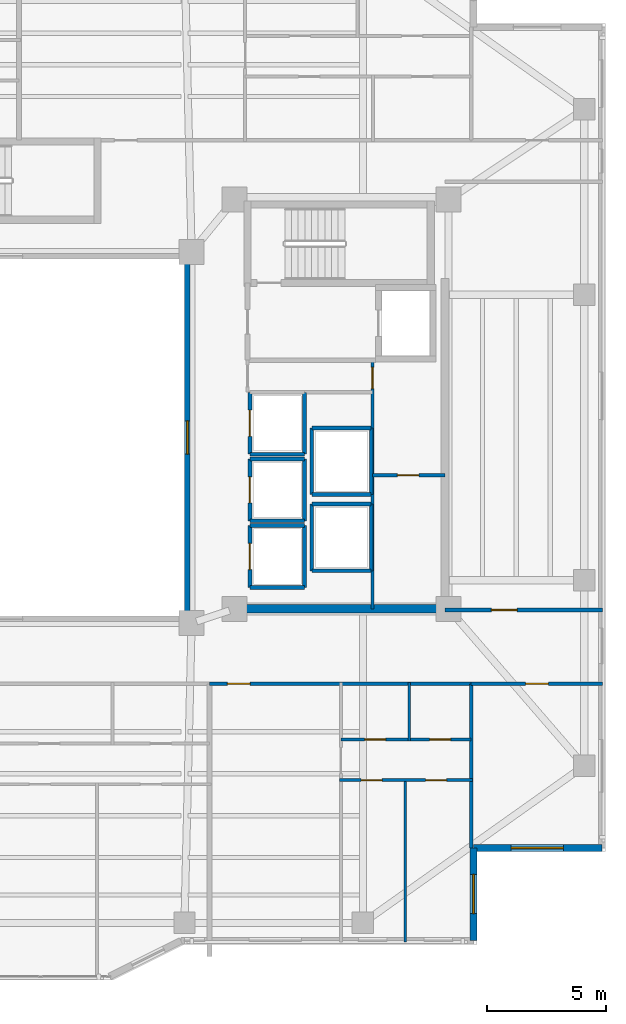
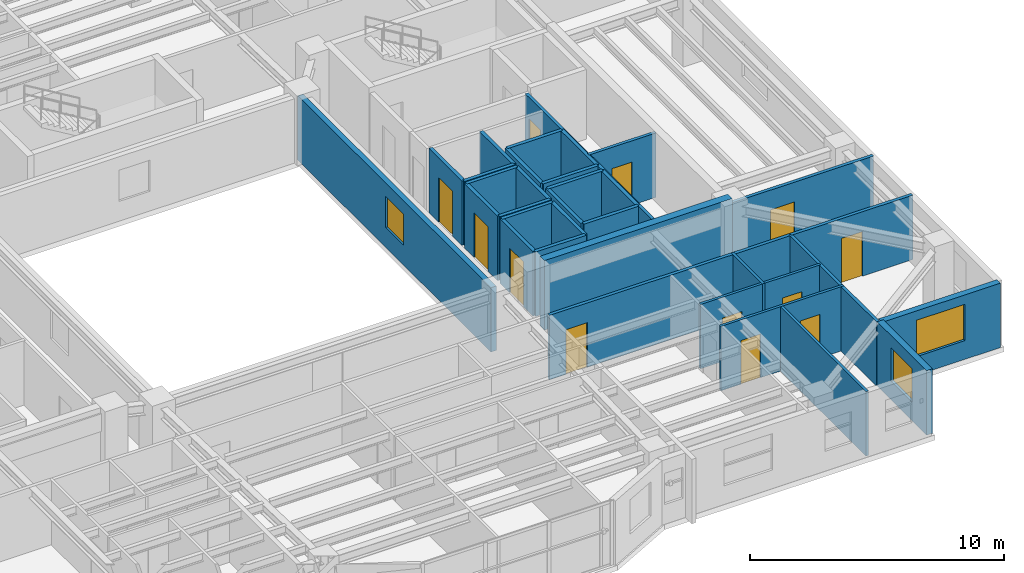
# One storey, part 8 of 15: 34 walls, 12 doors, 3 windows, 15 openings.
"""IFC4 building model written with IfcOpenShell, lengths in metres."""

from ifc_helpers import new_model, si_unit, direction, frame, frame_2d, origin, place, context, subcontext, project, spatial, rectangle, extrude, material, layer, layer_set, type_object, element, fill, save


model = new_model("IFC4")

# Units and contexts
model_context = context("Model", 3, precision=1e-05, world=origin(), true_north=direction((0.0, 1.0)))
body_context = subcontext(model_context, "Body", "Model", "MODEL_VIEW")
ifc_project = project(units=[si_unit("LENGTHUNIT", "METRE"), si_unit("AREAUNIT", "SQUARE_METRE"), si_unit("VOLUMEUNIT", "CUBIC_METRE"), si_unit("PLANEANGLEUNIT", "RADIAN"), si_unit("MASSUNIT", "GRAM", prefix="KILO")], contexts=[model_context])

# Site, building, storey
site_placement = place(None, origin())
site = spatial("IfcSite", under=ifc_project, at=site_placement, CompositionType="ELEMENT")
building_placement = place(site_placement, origin())
building = spatial("IfcBuilding", under=site, at=building_placement, Name="Tarnavaz Court Tower", CompositionType="ELEMENT")
storey_placement = place(building_placement, frame((0.0, 0.0, 159.39990234375)))
storey = spatial("IfcBuildingStorey", under=building, at=storey_placement, Name="L43", CompositionType="ELEMENT", Elevation=159.39990234375)

# Wall
ifc_material_1 = material(Name="Concrete C50/60", Category="concrete")
ifc_layer_1 = layer(ifc_material_1, 0.35009765625)
ifc_layer_set_1 = layer_set([ifc_layer_1], Name="Concrete C50/60")
wall_type_1 = type_object("IfcWallType", Name="WL-CORE-350-C50", PredefinedType="SHEAR", material=ifc_layer_set_1)
wall_1_placement = place(storey_placement, frame((10.074951171875, -7.199951171875, 0.0), z_axis=(0.0, 0.0, 1.0), x_axis=(1.0, 0.0, 0.0)))
element("IfcWall", 1, at=wall_1_placement, inside=storey, type_object=wall_type_1, Name="L43 East Core South Shear Wall 060", PredefinedType="SHEAR", context=body_context, shape_type="SweptSolid", body=[
    extrude(rectangle(XDim=8.550048828125, YDim=0.35009765625, at=frame_2d((4.27490234375, 0.0))), origin(), (0.0, 0.0, 1.0), 3.35009765625),
])

# Wall, opening, window
ifc_material_2 = material(Name="Precast Concrete C40/50", Category="concrete")
ifc_layer_2 = layer(ifc_material_2, 0.280029296875)
ifc_layer_set_2 = layer_set([ifc_layer_2], Name="Precast Concrete C40/50")
wall_type_2 = type_object("IfcWallType", Name="WL-EXT-280", PredefinedType="SOLIDWALL", material=ifc_layer_set_2)
wall_2_placement = place(storey_placement, frame((25.050048828125, -17.25, 0.0), z_axis=(0.0, 0.0, 1.0), x_axis=(-1.0, 0.0, 0.0)))
wall_2 = element("IfcWall", 2, at=wall_2_placement, inside=storey, type_object=wall_type_2, Name="L43 Exterior Terracotta Facade Wall 13", PredefinedType="SOLIDWALL", context=body_context, shape_type="SweptSolid", body=[
    extrude(rectangle(XDim=5.400146484375, YDim=0.280029296875, at=frame_2d((2.7001953125, 0.0))), origin(), (0.0, 0.0, 1.0), 3.10009765625),
])
opening_1_placement = place(wall_2_placement, frame((1.625, 0.0, 0.89990234375)))
opening_1 = element("IfcOpeningElement", 3, at=opening_1_placement, cuts=wall_2, Name="Opening W07", PredefinedType="OPENING", context=body_context, shape_type="SweptSolid", body=[
    extrude(rectangle(XDim=2.199951171875, YDim=1.75, at=frame_2d((1.10009765625, 0.875))), frame((0.0, 0.14990234375, 0.0), z_axis=(0.0, -1.0, 0.0), x_axis=(1.0, 0.0, 0.0)), (0.0, 0.0, 1.0), 0.300048828125),
])
ifc_material_3 = material(Name="Double-Glazed Solar Low-E Glass", Category="glass")
window_type_1 = type_object("IfcWindowType", Name="WN-APT-2200", PartitioningType="TRIPLE_PANEL_VERTICAL", PredefinedType="WINDOW", material=ifc_material_3)
window_1_placement = place(opening_1_placement, origin())
window_1 = element("IfcWindow", 4, at=window_1_placement, inside=storey, type_object=window_type_1, Name="L43 South-East Corner Reading Room Window", OverallHeight=1.75, OverallWidth=2.199951171875, PartitioningType="SINGLE_PANEL", PredefinedType="WINDOW", context=body_context, shape_type="SweptSolid", body=[
    extrude(rectangle(XDim=2.199951171875, YDim=1.75, at=frame_2d((1.10009765625, 0.875))), frame((0.0, 0.030029296875, 0.0), z_axis=(0.0, -1.0, 0.0), x_axis=(1.0, 0.0, 0.0)), (0.0, 0.0, 1.0), 0.06005859375),
])
fill(opening_1, window_1)

wall_3_placement = place(storey_placement, frame((19.64990234375, -17.25, 0.0), z_axis=(0.0, 0.0, 1.0), x_axis=(0.0, -1.0, 0.0)))
wall_3 = element("IfcWall", 5, at=wall_3_placement, inside=storey, type_object=wall_type_2, Name="L43 Exterior Terracotta Facade Wall 14", PredefinedType="SOLIDWALL", context=body_context, shape_type="SweptSolid", body=[
    extrude(rectangle(XDim=3.89990234375, YDim=0.280029296875, at=frame_2d((1.949951171875, 0.0))), origin(), (0.0, 0.0, 1.0), 3.10009765625),
])
opening_2_placement = place(wall_3_placement, frame((1.107177734375, 0.0, 0.89990234375)))
opening_2 = element("IfcOpeningElement", 6, at=opening_2_placement, cuts=wall_3, Name="Opening W02", PredefinedType="OPENING", context=body_context, shape_type="SweptSolid", body=[
    extrude(rectangle(XDim=1.64990234375, YDim=1.60009765625, at=frame_2d((0.824951171875, 0.800048828125))), frame((0.0, 0.14990234375, 0.0), z_axis=(0.0, -1.0, 0.0), x_axis=(1.0, 0.0, 0.0)), (0.0, 0.0, 1.0), 0.300048828125),
])
window_type_2 = type_object("IfcWindowType", Name="WN-APT-1650", PartitioningType="DOUBLE_PANEL_VERTICAL", PredefinedType="WINDOW", material=ifc_material_3)
window_2_placement = place(opening_2_placement, origin())
window_2 = element("IfcWindow", 7, at=window_2_placement, inside=storey, type_object=window_type_2, Name="L43 Flat 04 Bedroom 2 Window", OverallHeight=1.60009765625, OverallWidth=1.64990234375, PartitioningType="SINGLE_PANEL", PredefinedType="WINDOW", context=body_context, shape_type="SweptSolid", body=[
    extrude(rectangle(XDim=1.64990234375, YDim=1.60009765625, at=frame_2d((0.824951171875, 0.800048828125))), frame((0.0, 0.030029296875, 0.0), z_axis=(0.0, -1.0, 0.0), x_axis=(1.0, 0.0, 0.0)), (0.0, 0.0, 1.0), 0.06005859375),
])
fill(opening_2, window_2)

# Wall, opening, door
ifc_material_4 = material(Name="Gypsum Fire-Board on Acoustic Metal Stud", Category="masonry")
ifc_layer_3 = layer(ifc_material_4, 0.14990234375)
ifc_layer_set_3 = layer_set([ifc_layer_3], Name="Gypsum Fire-Board on Acoustic Metal Stud")
wall_type_3 = type_object("IfcWallType", Name="WL-FIRE-150", PredefinedType="PARTITIONING", material=ifc_layer_set_3)
wall_4_placement = place(storey_placement, frame((8.550048828125, -10.35009765625, 0.0), z_axis=(0.0, 0.0, 1.0), x_axis=(1.0, 0.0, 0.0)))
wall_4 = element("IfcWall", 8, at=wall_4_placement, inside=storey, type_object=wall_type_3, Name="L43 SE Horseshoe Wall 074", PredefinedType="PARTITIONING", context=body_context, shape_type="SweptSolid", body=[
    extrude(rectangle(XDim=11.0, YDim=0.14990234375, at=frame_2d((5.5, 0.0))), origin(), (0.0, 0.0, 1.0), 3.10009765625),
])
opening_3_placement = place(wall_4_placement, frame((0.75, 0.0, 0.0)))
opening_3 = element("IfcOpeningElement", 9, at=opening_3_placement, cuts=wall_4, Name="Opening D06", PredefinedType="OPENING", context=body_context, shape_type="SweptSolid", body=[
    extrude(rectangle(XDim=0.9599609375, YDim=2.14990234375, at=frame_2d((0.47998046875, 1.074951171875))), frame((0.0, 0.0849609375, 0.0), z_axis=(0.0, -1.0, 0.0), x_axis=(1.0, 0.0, 0.0)), (0.0, 0.0, 1.0), 0.169921875),
])
ifc_material_5 = material(Name="Fire-Rated Hardwood Timber Core", Category="wood")
door_type_1 = type_object("IfcDoorType", Name="DR-FD60-950", OperationType="NOTDEFINED", PredefinedType="DOOR", material=ifc_material_5)
door_1_placement = place(opening_3_placement, origin())
door_1 = element("IfcDoor", 10, at=door_1_placement, inside=storey, type_object=door_type_1, Name="L43 Flat 04 Entrance Door", OperationType="SINGLE_SWING_LEFT", OverallHeight=2.14990234375, OverallWidth=0.9599609375, PredefinedType="DOOR", context=body_context, shape_type="SweptSolid", body=[
    extrude(rectangle(XDim=0.9599609375, YDim=2.14990234375, at=frame_2d((0.47998046875, 1.074951171875))), frame((0.0, 0.02490234375, 0.0), z_axis=(0.0, -1.0, 0.0), x_axis=(1.0, 0.0, 0.0)), (0.0, 0.0, 1.0), 0.050048828125),
])
fill(opening_3, door_1)

wall_5_placement = place(storey_placement, frame((18.449951171875, -7.25, 0.0), z_axis=(0.0, 0.0, 1.0), x_axis=(1.0, 0.0, 0.0)))
wall_5 = element("IfcWall", 11, at=wall_5_placement, inside=storey, type_object=wall_type_3, Name="L43 Interior Partition 111", PredefinedType="PARTITIONING", context=body_context, shape_type="SweptSolid", body=[
    extrude(rectangle(XDim=6.630126953125, YDim=0.14990234375, at=frame_2d((3.31494140625, 0.0))), origin(), (0.0, 0.0, 1.0), 3.10009765625),
])
opening_4_placement = place(wall_5_placement, frame((1.949951171875, 0.0, 0.0)))
opening_4 = element("IfcOpeningElement", 12, at=opening_4_placement, cuts=wall_5, Name="Opening D12", PredefinedType="OPENING", context=body_context, shape_type="SweptSolid", body=[
    extrude(rectangle(XDim=1.080078125, YDim=2.14990234375, at=frame_2d((0.5400390625, 1.074951171875))), frame((0.0, 0.0849609375, 0.0), z_axis=(0.0, -1.0, 0.0), x_axis=(1.0, 0.0, 0.0)), (0.0, 0.0, 1.0), 0.169921875),
])
ifc_material_6 = material(Name="Engineered Oak Timber", Category="wood")
door_type_2 = type_object("IfcDoorType", Name="DR-INT-1100", OperationType="NOTDEFINED", PredefinedType="DOOR", material=ifc_material_6)
door_2_placement = place(opening_4_placement, origin())
door_2 = element("IfcDoor", 13, at=door_2_placement, inside=storey, type_object=door_type_2, Name="L43 East Fitness Lounge Door", OperationType="SINGLE_SWING_RIGHT", OverallHeight=2.14990234375, OverallWidth=1.080078125, PredefinedType="DOOR", context=body_context, shape_type="SweptSolid", body=[
    extrude(rectangle(XDim=1.080078125, YDim=2.14990234375, at=frame_2d((0.5400390625, 1.074951171875))), frame((0.0, 0.02490234375, 0.0), z_axis=(0.0, -1.0, 0.0), x_axis=(1.0, 0.0, 0.0)), (0.0, 0.0, 1.0), 0.050048828125),
])
fill(opening_4, door_2)

wall_6_placement = place(storey_placement, frame((19.550048828125, -10.35009765625, 0.0), z_axis=(0.0, 0.0, 1.0), x_axis=(1.0, 0.0, 0.0)))
wall_6 = element("IfcWall", 14, at=wall_6_placement, inside=storey, type_object=wall_type_3, Name="L43 Interior Partition 120", PredefinedType="PARTITIONING", context=body_context, shape_type="SweptSolid", body=[
    extrude(rectangle(XDim=5.530029296875, YDim=0.14990234375, at=frame_2d((2.76513671875, 0.0))), origin(), (0.0, 0.0, 1.0), 3.10009765625),
])
opening_5_placement = place(wall_6_placement, frame((2.2900390625, 0.0, 0.0)))
opening_5 = element("IfcOpeningElement", 15, at=opening_5_placement, cuts=wall_6, Name="Opening D13", PredefinedType="OPENING", context=body_context, shape_type="SweptSolid", body=[
    extrude(rectangle(XDim=0.949951171875, YDim=2.14990234375, at=frame_2d((0.47509765625, 1.074951171875))), frame((0.0, 0.0849609375, 0.0), z_axis=(0.0, -1.0, 0.0), x_axis=(1.0, 0.0, 0.0)), (0.0, 0.0, 1.0), 0.169921875),
])
door_type_3 = type_object("IfcDoorType", Name="DR-INT-950", OperationType="NOTDEFINED", PredefinedType="DOOR", material=ifc_material_6)
door_3_placement = place(opening_5_placement, origin())
door_3 = element("IfcDoor", 16, at=door_3_placement, inside=storey, type_object=door_type_3, Name="L43 SE Reading Room Door", OperationType="SINGLE_SWING_RIGHT", OverallHeight=2.14990234375, OverallWidth=0.949951171875, PredefinedType="DOOR", context=body_context, shape_type="SweptSolid", body=[
    extrude(rectangle(XDim=0.949951171875, YDim=2.14990234375, at=frame_2d((0.47509765625, 1.074951171875))), frame((0.0, 0.02490234375, 0.0), z_axis=(0.0, -1.0, 0.0), x_axis=(1.0, 0.0, 0.0)), (0.0, 0.0, 1.0), 0.050048828125),
])
fill(opening_5, door_3)

ifc_material_7 = material(Name="Moisture-Resistant Gypsum Board Partition", Category="masonry")
ifc_layer_4 = layer(ifc_material_7, 0.1201171875)
ifc_layer_set_4 = layer_set([ifc_layer_4], Name="Moisture-Resistant Gypsum Board Partition")
wall_type_4 = type_object("IfcWallType", Name="WL-PART-120", PredefinedType="PARTITIONING", material=ifc_layer_set_4)
wall_7_placement = place(storey_placement, frame((14.074951171875, -12.68994140625, 0.0), z_axis=(0.0, 0.0, 1.0), x_axis=(1.0, 0.0, 0.0)))
wall_7 = element("IfcWall", 17, at=wall_7_placement, inside=storey, type_object=wall_type_4, Name="L43 Interior Partition 095", PredefinedType="PARTITIONING", context=body_context, shape_type="SweptSolid", body=[
    extrude(rectangle(XDim=2.8701171875, YDim=0.1201171875, at=frame_2d((1.43505859375, 0.0))), origin(), (0.0, 0.0, 1.0), 3.10009765625),
])
opening_6_placement = place(wall_7_placement, frame((0.9951171875, 0.0, 0.0)))
opening_6 = element("IfcOpeningElement", 18, at=opening_6_placement, cuts=wall_7, Name="Opening D14", PredefinedType="OPENING", context=body_context, shape_type="SweptSolid", body=[
    extrude(rectangle(XDim=0.8798828125, YDim=2.10009765625, at=frame_2d((0.43994140625, 1.050048828125))), frame((0.0, 0.070068359375, 0.0), z_axis=(0.0, -1.0, 0.0), x_axis=(1.0, 0.0, 0.0)), (0.0, 0.0, 1.0), 0.14013671875),
])
door_type_4 = type_object("IfcDoorType", Name="DR-INT-900", OperationType="NOTDEFINED", PredefinedType="DOOR", material=ifc_material_6)
door_4_placement = place(opening_6_placement, origin())
door_4 = element("IfcDoor", 19, at=door_4_placement, inside=storey, type_object=door_type_4, Name="L43 Flat 04 Kitchen Door", OperationType="SINGLE_SWING_LEFT", OverallHeight=2.10009765625, OverallWidth=0.8798828125, PredefinedType="DOOR", context=body_context, shape_type="SweptSolid", body=[
    extrude(rectangle(XDim=0.8798828125, YDim=2.10009765625, at=frame_2d((0.43994140625, 1.050048828125))), frame((0.0, 0.02490234375, 0.0), z_axis=(0.0, -1.0, 0.0), x_axis=(1.0, 0.0, 0.0)), (0.0, 0.0, 1.0), 0.050048828125),
])
fill(opening_6, door_4)

wall_8_placement = place(storey_placement, frame((16.945068359375, -12.68994140625, 0.0), z_axis=(0.0, 0.0, 1.0), x_axis=(1.0, 0.0, 0.0)))
wall_8 = element("IfcWall", 20, at=wall_8_placement, inside=storey, type_object=wall_type_4, Name="L43 Interior Partition 096", PredefinedType="PARTITIONING", context=body_context, shape_type="SweptSolid", body=[
    extrude(rectangle(XDim=2.60498046875, YDim=0.1201171875, at=frame_2d((1.302490234375, 0.0))), origin(), (0.0, 0.0, 1.0), 3.10009765625),
])
opening_7_placement = place(wall_8_placement, frame((0.863037109375, 0.0, 0.0)))
opening_7 = element("IfcOpeningElement", 21, at=opening_7_placement, cuts=wall_8, Name="Opening D14", PredefinedType="OPENING", context=body_context, shape_type="SweptSolid", body=[
    extrude(rectangle(XDim=0.8798828125, YDim=2.10009765625, at=frame_2d((0.43994140625, 1.050048828125))), frame((0.0, 0.070068359375, 0.0), z_axis=(0.0, -1.0, 0.0), x_axis=(1.0, 0.0, 0.0)), (0.0, 0.0, 1.0), 0.14013671875),
])
door_5_placement = place(opening_7_placement, origin())
door_5 = element("IfcDoor", 22, at=door_5_placement, inside=storey, type_object=door_type_4, Name="L43 Flat 04 Bathroom Door", OperationType="SINGLE_SWING_RIGHT", OverallHeight=2.10009765625, OverallWidth=0.8798828125, PredefinedType="DOOR", context=body_context, shape_type="SweptSolid", body=[
    extrude(rectangle(XDim=0.8798828125, YDim=2.10009765625, at=frame_2d((0.43994140625, 1.050048828125))), frame((0.0, 0.02490234375, 0.0), z_axis=(0.0, -1.0, 0.0), x_axis=(1.0, 0.0, 0.0)), (0.0, 0.0, 1.0), 0.050048828125),
])
fill(opening_7, door_5)

# Wall, openings, doors
wall_9_placement = place(storey_placement, frame((14.014892578125, -14.39990234375, 0.0), z_axis=(0.0, 0.0, 1.0), x_axis=(1.0, 0.0, 0.0)))
wall_9 = element("IfcWall", 23, at=wall_9_placement, inside=storey, type_object=wall_type_4, Name="L43 Interior Partition 097", PredefinedType="PARTITIONING", context=body_context, shape_type="SweptSolid", body=[
    extrude(rectangle(XDim=5.59521484375, YDim=0.1201171875, at=frame_2d((2.797607421875, 0.0))), origin(), (0.0, 0.0, 1.0), 3.10009765625),
])
opening_8_placement = place(wall_9_placement, frame((0.9140625, 0.0, 0.0)))
opening_8 = element("IfcOpeningElement", 24, at=opening_8_placement, cuts=wall_9, Name="Opening D14", PredefinedType="OPENING", context=body_context, shape_type="SweptSolid", body=[
    extrude(rectangle(XDim=0.8798828125, YDim=2.10009765625, at=frame_2d((0.43994140625, 1.050048828125))), frame((0.0, 0.070068359375, 0.0), z_axis=(0.0, -1.0, 0.0), x_axis=(1.0, 0.0, 0.0)), (0.0, 0.0, 1.0), 0.14013671875),
])
opening_9_placement = place(wall_9_placement, frame((3.62109375, 0.0, 0.0)))
opening_9 = element("IfcOpeningElement", 25, at=opening_9_placement, cuts=wall_9, Name="Opening D14", PredefinedType="OPENING", context=body_context, shape_type="SweptSolid", body=[
    extrude(rectangle(XDim=0.8798828125, YDim=2.10009765625, at=frame_2d((0.43994140625, 1.050048828125))), frame((0.0, 0.070068359375, 0.0), z_axis=(0.0, -1.0, 0.0), x_axis=(1.0, 0.0, 0.0)), (0.0, 0.0, 1.0), 0.14013671875),
])
door_6_placement = place(opening_8_placement, origin())
door_6 = element("IfcDoor", 26, at=door_6_placement, inside=storey, type_object=door_type_4, Name="L43 Flat 04 Bedroom 1 Door", OperationType="SINGLE_SWING_LEFT", OverallHeight=2.10009765625, OverallWidth=0.8798828125, PredefinedType="DOOR", context=body_context, shape_type="SweptSolid", body=[
    extrude(rectangle(XDim=0.8798828125, YDim=2.10009765625, at=frame_2d((0.43994140625, 1.050048828125))), frame((0.0, 0.02490234375, 0.0), z_axis=(0.0, -1.0, 0.0), x_axis=(1.0, 0.0, 0.0)), (0.0, 0.0, 1.0), 0.050048828125),
])
fill(opening_8, door_6)
door_7_placement = place(opening_9_placement, origin())
door_7 = element("IfcDoor", 27, at=door_7_placement, inside=storey, type_object=door_type_4, Name="L43 Flat 04 Bedroom 2 Door", OperationType="SINGLE_SWING_RIGHT", OverallHeight=2.10009765625, OverallWidth=0.8798828125, PredefinedType="DOOR", context=body_context, shape_type="SweptSolid", body=[
    extrude(rectangle(XDim=0.8798828125, YDim=2.10009765625, at=frame_2d((0.43994140625, 1.050048828125))), frame((0.0, 0.02490234375, 0.0), z_axis=(0.0, -1.0, 0.0), x_axis=(1.0, 0.0, 0.0)), (0.0, 0.0, 1.0), 0.050048828125),
])
fill(opening_9, door_7)

# Walls
wall_10_placement = place(storey_placement, frame((16.945068359375, -12.75, 0.0), z_axis=(0.0, 0.0, 1.0), x_axis=(0.0, 1.0, 0.0)))
element("IfcWall", 28, at=wall_10_placement, inside=storey, type_object=wall_type_4, Name="L43 Interior Partition 098", PredefinedType="PARTITIONING", context=body_context, shape_type="SweptSolid", body=[
    extrude(rectangle(XDim=2.4599609375, YDim=0.1201171875, at=frame_2d((1.22998046875, 0.0))), origin(), (0.0, 0.0, 1.0), 3.10009765625),
])
wall_11_placement = place(storey_placement, frame((16.781982421875, -21.199951171875, 0.0), z_axis=(0.0, 0.0, 1.0), x_axis=(0.0, 1.0, 0.0)))
element("IfcWall", 29, at=wall_11_placement, inside=storey, type_object=wall_type_4, Name="L43 Interior Partition 099", PredefinedType="PARTITIONING", context=body_context, shape_type="SweptSolid", body=[
    extrude(rectangle(XDim=6.85986328125, YDim=0.1201171875, at=frame_2d((3.429931640625, 0.0))), origin(), (0.0, 0.0, 1.0), 3.10009765625),
])

# Wall, opening, door
ifc_material_8 = material(Name="Gypsum Plasterboard Acoustic Partition", Category="masonry")
ifc_layer_5 = layer(ifc_material_8, 0.139892578125)
ifc_layer_set_5 = layer_set([ifc_layer_5], Name="Gypsum Plasterboard Acoustic Partition")
wall_type_5 = type_object("IfcWallType", Name="WL-PART-150", PredefinedType="PARTITIONING", material=ifc_layer_set_5)
wall_12_placement = place(storey_placement, frame((15.39990234375, -7.199951171875, 0.0), z_axis=(0.0, 0.0, 1.0), x_axis=(0.0, 1.0, 0.0)))
wall_12 = element("IfcWall", 30, at=wall_12_placement, inside=storey, type_object=wall_type_5, Name="L43 Interior Partition 069", PredefinedType="PARTITIONING", context=body_context, shape_type="SweptSolid", body=[
    extrude(rectangle(XDim=10.449951171875, YDim=0.139892578125, at=frame_2d((5.22509765625, 0.0))), origin(), (0.0, 0.0, 1.0), 3.10009765625),
])
opening_10_placement = place(wall_12_placement, frame((9.25, 0.0, 0.0)))
opening_10 = element("IfcOpeningElement", 31, at=opening_10_placement, cuts=wall_12, Name="Opening D09", PredefinedType="OPENING", context=body_context, shape_type="SweptSolid", body=[
    extrude(rectangle(XDim=0.89990234375, YDim=2.080078125, at=frame_2d((0.449951171875, 1.0400390625))), frame((0.0, 0.079833984375, 0.0), z_axis=(0.0, -1.0, 0.0), x_axis=(1.0, 0.0, 0.0)), (0.0, 0.0, 1.0), 0.159912109375),
])
door_type_5 = type_object("IfcDoorType", Name="DR-FD30-900", OperationType="NOTDEFINED", PredefinedType="DOOR", material=ifc_material_5)
door_8_placement = place(opening_10_placement, origin())
door_8 = element("IfcDoor", 32, at=door_8_placement, inside=storey, type_object=door_type_5, Name="L43 East Wet Riser Door", OperationType="SINGLE_SWING_LEFT", OverallHeight=2.080078125, OverallWidth=0.89990234375, PredefinedType="DOOR", context=body_context, shape_type="SweptSolid", body=[
    extrude(rectangle(XDim=0.89990234375, YDim=2.080078125, at=frame_2d((0.449951171875, 1.0400390625))), frame((0.0, 0.02490234375, 0.0), z_axis=(0.0, -1.0, 0.0), x_axis=(1.0, 0.0, 0.0)), (0.0, 0.0, 1.0), 0.050048828125),
])
fill(opening_10, door_8)

wall_13_placement = place(storey_placement, frame((15.39990234375, -1.590087890625, 0.0), z_axis=(0.0, 0.0, 1.0), x_axis=(1.0, 0.0, 0.0)))
wall_13 = element("IfcWall", 33, at=wall_13_placement, inside=storey, type_object=wall_type_5, Name="L43 Interior Partition 070", PredefinedType="PARTITIONING", context=body_context, shape_type="SweptSolid", body=[
    extrude(rectangle(XDim=3.050048828125, YDim=0.139892578125, at=frame_2d((1.52490234375, 0.0))), origin(), (0.0, 0.0, 1.0), 3.10009765625),
])
opening_11_placement = place(wall_13_placement, frame((1.050048828125, 0.0, 0.0)))
opening_11 = element("IfcOpeningElement", 34, at=opening_11_placement, cuts=wall_13, Name="Opening D09", PredefinedType="OPENING", context=body_context, shape_type="SweptSolid", body=[
    extrude(rectangle(XDim=0.89990234375, YDim=2.080078125, at=frame_2d((0.449951171875, 1.0400390625))), frame((0.0, 0.079833984375, 0.0), z_axis=(0.0, -1.0, 0.0), x_axis=(1.0, 0.0, 0.0)), (0.0, 0.0, 1.0), 0.159912109375),
])
door_9_placement = place(opening_11_placement, origin())
door_9 = element("IfcDoor", 35, at=door_9_placement, inside=storey, type_object=door_type_5, Name="L43 East Electrical Plant Door", OperationType="SINGLE_SWING_RIGHT", OverallHeight=2.080078125, OverallWidth=0.89990234375, PredefinedType="DOOR", context=body_context, shape_type="SweptSolid", body=[
    extrude(rectangle(XDim=0.89990234375, YDim=2.080078125, at=frame_2d((0.449951171875, 1.0400390625))), frame((0.0, 0.02490234375, 0.0), z_axis=(0.0, -1.0, 0.0), x_axis=(1.0, 0.0, 0.0)), (0.0, 0.0, 1.0), 0.050048828125),
])
fill(opening_11, door_9)

# Wall
wall_14_placement = place(storey_placement, frame((19.550048828125, -17.25, 0.0), z_axis=(0.0, 0.0, 1.0), x_axis=(0.0, 1.0, 0.0)))
element("IfcWall", 36, at=wall_14_placement, inside=storey, type_object=wall_type_5, Name="L43 Interior Partition 114", PredefinedType="PARTITIONING", context=body_context, shape_type="SweptSolid", body=[
    extrude(rectangle(XDim=6.89990234375, YDim=0.139892578125, at=frame_2d((3.449951171875, 0.0))), origin(), (0.0, 0.0, 1.0), 3.10009765625),
])

# Wall, opening, door
ifc_material_9 = material(Name="Autoclaved Aerated Concrete Blockwork", Category="masonry")
ifc_layer_6 = layer(ifc_material_9, 0.159912109375)
ifc_layer_set_6 = layer_set([ifc_layer_6], Name="Autoclaved Aerated Concrete Blockwork")
wall_type_6 = type_object("IfcWallType", Name="WL-SHAFT-150", PredefinedType="SOLIDWALL", material=ifc_layer_set_6)
wall_15_placement = place(storey_placement, frame((10.25, -6.300048828125, 0.0), z_axis=(0.0, 0.0, 1.0), x_axis=(0.0, 1.0, 0.0)))
wall_15 = element("IfcWall", 37, at=wall_15_placement, inside=storey, type_object=wall_type_6, Name="L43 Lift PL-M1 Shaft Wall 037", PredefinedType="SOLIDWALL", context=body_context, shape_type="SweptSolid", body=[
    extrude(rectangle(XDim=2.60009765625, YDim=0.159912109375, at=frame_2d((1.300048828125, 0.0))), origin(), (0.0, 0.0, 1.0), 3.10009765625),
])
opening_12_placement = place(wall_15_placement, frame((0.75, 0.0, 0.0)))
opening_12 = element("IfcOpeningElement", 38, at=opening_12_placement, cuts=wall_15, Name="Opening LD1", PredefinedType="OPENING", context=body_context, shape_type="SweptSolid", body=[
    extrude(rectangle(XDim=1.10009765625, YDim=2.14990234375, at=frame_2d((0.550048828125, 1.074951171875))), frame((0.0, 0.08984375, 0.0), z_axis=(0.0, -1.0, 0.0), x_axis=(1.0, 0.0, 0.0)), (0.0, 0.0, 1.0), 0.179931640625),
])
ifc_material_10 = material(Name="Stainless Steel", Category="steel")
door_type_6 = type_object("IfcDoorType", Name="DR-LD-1100", OperationType="NOTDEFINED", PredefinedType="DOOR", material=ifc_material_10)
door_10_placement = place(opening_12_placement, origin())
door_10 = element("IfcDoor", 39, at=door_10_placement, inside=storey, type_object=door_type_6, Name="L43 Lift Landing Door LD-PL-M1", OperationType="SLIDING_TO_LEFT", OverallHeight=2.14990234375, OverallWidth=1.10009765625, PredefinedType="DOOR", context=body_context, shape_type="SweptSolid", body=[
    extrude(rectangle(XDim=1.10009765625, YDim=2.14990234375, at=frame_2d((0.550048828125, 1.074951171875))), frame((0.0, 0.02490234375, 0.0), z_axis=(0.0, -1.0, 0.0), x_axis=(1.0, 0.0, 0.0)), (0.0, 0.0, 1.0), 0.050048828125),
])
fill(opening_12, door_10)

# Walls
wall_16_placement = place(storey_placement, frame((12.550048828125, -6.300048828125, 0.0), z_axis=(0.0, 0.0, 1.0), x_axis=(0.0, 1.0, 0.0)))
element("IfcWall", 40, at=wall_16_placement, inside=storey, type_object=wall_type_6, Name="L43 Lift PL-M1 Shaft Wall 038", PredefinedType="SOLIDWALL", context=body_context, shape_type="SweptSolid", body=[
    extrude(rectangle(XDim=2.60009765625, YDim=0.159912109375, at=frame_2d((1.300048828125, 0.0))), origin(), (0.0, 0.0, 1.0), 3.10009765625),
])
for number, where, z_axis, x_axis, name in (
    (41, (10.25, -6.300048828125, 0.0), (0.0, 0.0, 1.0), (1.0, 0.0, 0.0), "L43 Lift PL-M1 Shaft Wall 039"),
    (42, (10.25, -3.699951171875, 0.0), (0.0, 0.0, 1.0), (1.0, 0.0, 0.0), "L43 Lift PL-M1 Shaft Wall 040"),
):
    element("IfcWall", number, at=place(storey_placement, frame(where, z_axis=z_axis, x_axis=x_axis)), inside=storey, type_object=wall_type_6, Name=name, PredefinedType="SOLIDWALL", context=body_context, shape_type="SweptSolid", body=[
        extrude(rectangle(XDim=2.300048828125, YDim=0.159912109375, at=frame_2d((1.14990234375, 0.0))), origin(), (0.0, 0.0, 1.0), 3.10009765625),
    ])

# Wall, opening, door
wall_17_placement = place(storey_placement, frame((10.25, -3.5, 0.0), z_axis=(0.0, 0.0, 1.0), x_axis=(0.0, 1.0, 0.0)))
wall_17 = element("IfcWall", 43, at=wall_17_placement, inside=storey, type_object=wall_type_6, Name="L43 Lift PL-M2 Shaft Wall 041", PredefinedType="SOLIDWALL", context=body_context, shape_type="SweptSolid", body=[
    extrude(rectangle(XDim=2.60009765625, YDim=0.159912109375, at=frame_2d((1.300048828125, 0.0))), origin(), (0.0, 0.0, 1.0), 3.10009765625),
])
opening_13_placement = place(wall_17_placement, frame((0.75, 0.0, 0.0)))
opening_13 = element("IfcOpeningElement", 44, at=opening_13_placement, cuts=wall_17, Name="Opening LD1", PredefinedType="OPENING", context=body_context, shape_type="SweptSolid", body=[
    extrude(rectangle(XDim=1.10009765625, YDim=2.14990234375, at=frame_2d((0.550048828125, 1.074951171875))), frame((0.0, 0.08984375, 0.0), z_axis=(0.0, -1.0, 0.0), x_axis=(1.0, 0.0, 0.0)), (0.0, 0.0, 1.0), 0.179931640625),
])
door_11_placement = place(opening_13_placement, origin())
door_11 = element("IfcDoor", 45, at=door_11_placement, inside=storey, type_object=door_type_6, Name="L43 Lift Landing Door LD-PL-M2", OperationType="SLIDING_TO_LEFT", OverallHeight=2.14990234375, OverallWidth=1.10009765625, PredefinedType="DOOR", context=body_context, shape_type="SweptSolid", body=[
    extrude(rectangle(XDim=1.10009765625, YDim=2.14990234375, at=frame_2d((0.550048828125, 1.074951171875))), frame((0.0, 0.02490234375, 0.0), z_axis=(0.0, -1.0, 0.0), x_axis=(1.0, 0.0, 0.0)), (0.0, 0.0, 1.0), 0.050048828125),
])
fill(opening_13, door_11)

# Walls
wall_18_placement = place(storey_placement, frame((12.550048828125, -3.5, 0.0), z_axis=(0.0, 0.0, 1.0), x_axis=(0.0, 1.0, 0.0)))
element("IfcWall", 46, at=wall_18_placement, inside=storey, type_object=wall_type_6, Name="L43 Lift PL-M2 Shaft Wall 042", PredefinedType="SOLIDWALL", context=body_context, shape_type="SweptSolid", body=[
    extrude(rectangle(XDim=2.60009765625, YDim=0.159912109375, at=frame_2d((1.300048828125, 0.0))), origin(), (0.0, 0.0, 1.0), 3.10009765625),
])
for number, where, z_axis, x_axis, name in (
    (47, (10.25, -3.5, 0.0), (0.0, 0.0, 1.0), (1.0, 0.0, 0.0), "L43 Lift PL-M2 Shaft Wall 043"),
    (48, (10.25, -0.89990234375, 0.0), (0.0, 0.0, 1.0), (1.0, 0.0, 0.0), "L43 Lift PL-M2 Shaft Wall 044"),
):
    element("IfcWall", number, at=place(storey_placement, frame(where, z_axis=z_axis, x_axis=x_axis)), inside=storey, type_object=wall_type_6, Name=name, PredefinedType="SOLIDWALL", context=body_context, shape_type="SweptSolid", body=[
        extrude(rectangle(XDim=2.300048828125, YDim=0.159912109375, at=frame_2d((1.14990234375, 0.0))), origin(), (0.0, 0.0, 1.0), 3.10009765625),
    ])

# Wall, opening, door
wall_19_placement = place(storey_placement, frame((10.25, -0.699951171875, 0.0), z_axis=(0.0, 0.0, 1.0), x_axis=(0.0, 1.0, 0.0)))
wall_19 = element("IfcWall", 49, at=wall_19_placement, inside=storey, type_object=wall_type_6, Name="L43 Lift PL-M3 Shaft Wall 045", PredefinedType="SOLIDWALL", context=body_context, shape_type="SweptSolid", body=[
    extrude(rectangle(XDim=2.599853515625, YDim=0.159912109375, at=frame_2d((1.2998046875, 0.0))), origin(), (0.0, 0.0, 1.0), 3.10009765625),
])
opening_14_placement = place(wall_19_placement, frame((0.75, 0.0, 0.0)))
opening_14 = element("IfcOpeningElement", 50, at=opening_14_placement, cuts=wall_19, Name="Opening LD1", PredefinedType="OPENING", context=body_context, shape_type="SweptSolid", body=[
    extrude(rectangle(XDim=1.10009765625, YDim=2.14990234375, at=frame_2d((0.550048828125, 1.074951171875))), frame((0.0, 0.08984375, 0.0), z_axis=(0.0, -1.0, 0.0), x_axis=(1.0, 0.0, 0.0)), (0.0, 0.0, 1.0), 0.179931640625),
])
door_12_placement = place(opening_14_placement, origin())
door_12 = element("IfcDoor", 51, at=door_12_placement, inside=storey, type_object=door_type_6, Name="L43 Lift Landing Door LD-PL-M3", OperationType="SLIDING_TO_LEFT", OverallHeight=2.14990234375, OverallWidth=1.10009765625, PredefinedType="DOOR", context=body_context, shape_type="SweptSolid", body=[
    extrude(rectangle(XDim=1.10009765625, YDim=2.14990234375, at=frame_2d((0.550048828125, 1.074951171875))), frame((0.0, 0.02490234375, 0.0), z_axis=(0.0, -1.0, 0.0), x_axis=(1.0, 0.0, 0.0)), (0.0, 0.0, 1.0), 0.050048828125),
])
fill(opening_14, door_12)

# Walls
wall_20_placement = place(storey_placement, frame((12.550048828125, -0.699951171875, 0.0), z_axis=(0.0, 0.0, 1.0), x_axis=(0.0, 1.0, 0.0)))
element("IfcWall", 52, at=wall_20_placement, inside=storey, type_object=wall_type_6, Name="L43 Lift PL-M3 Shaft Wall 046", PredefinedType="SOLIDWALL", context=body_context, shape_type="SweptSolid", body=[
    extrude(rectangle(XDim=2.599853515625, YDim=0.159912109375, at=frame_2d((1.2998046875, 0.0))), origin(), (0.0, 0.0, 1.0), 3.10009765625),
])
wall_21_placement = place(storey_placement, frame((10.25, -0.699951171875, 0.0), z_axis=(0.0, 0.0, 1.0), x_axis=(1.0, 0.0, 0.0)))
element("IfcWall", 53, at=wall_21_placement, inside=storey, type_object=wall_type_6, Name="L43 Lift PL-M3 Shaft Wall 047", PredefinedType="SOLIDWALL", context=body_context, shape_type="SweptSolid", body=[
    extrude(rectangle(XDim=2.300048828125, YDim=0.159912109375, at=frame_2d((1.14990234375, 0.0))), origin(), (0.0, 0.0, 1.0), 3.10009765625),
])
for number, where, z_axis, x_axis, name in (
    (54, (12.85009765625, -5.60009765625, 0.0), (0.0, 0.0, 1.0), (0.0, 1.0, 0.0), "L43 Lift PL-OB1 Shaft Wall 049"),
    (55, (15.35009765625, -5.60009765625, 0.0), (0.0, 0.0, 1.0), (0.0, 1.0, 0.0), "L43 Lift PL-OB1 Shaft Wall 050"),
):
    element("IfcWall", number, at=place(storey_placement, frame(where, z_axis=z_axis, x_axis=x_axis)), inside=storey, type_object=wall_type_6, Name=name, PredefinedType="SOLIDWALL", context=body_context, shape_type="SweptSolid", body=[
        extrude(rectangle(XDim=2.800048828125, YDim=0.159912109375, at=frame_2d((1.39990234375, 0.0))), origin(), (0.0, 0.0, 1.0), 3.10009765625),
    ])
for number, where, z_axis, x_axis, name in (
    (56, (12.85009765625, -5.60009765625, 0.0), (0.0, 0.0, 1.0), (1.0, 0.0, 0.0), "L43 Lift PL-OB1 Shaft Wall 051"),
    (57, (12.85009765625, -2.800048828125, 0.0), (0.0, 0.0, 1.0), (1.0, 0.0, 0.0), "L43 Lift PL-OB1 Shaft Wall 052"),
):
    element("IfcWall", number, at=place(storey_placement, frame(where, z_axis=z_axis, x_axis=x_axis)), inside=storey, type_object=wall_type_6, Name=name, PredefinedType="SOLIDWALL", context=body_context, shape_type="SweptSolid", body=[
        extrude(rectangle(XDim=2.5, YDim=0.159912109375, at=frame_2d((1.25, 0.0))), origin(), (0.0, 0.0, 1.0), 3.10009765625),
    ])
for number, where, z_axis, x_axis, name in (
    (58, (12.85009765625, -2.39990234375, 0.0), (0.0, 0.0, 1.0), (0.0, 1.0, 0.0), "L43 Lift PL-OB2 Shaft Wall 053"),
    (59, (15.35009765625, -2.39990234375, 0.0), (0.0, 0.0, 1.0), (0.0, 1.0, 0.0), "L43 Lift PL-OB2 Shaft Wall 054"),
):
    element("IfcWall", number, at=place(storey_placement, frame(where, z_axis=z_axis, x_axis=x_axis)), inside=storey, type_object=wall_type_6, Name=name, PredefinedType="SOLIDWALL", context=body_context, shape_type="SweptSolid", body=[
        extrude(rectangle(XDim=2.7998046875, YDim=0.159912109375, at=frame_2d((1.39990234375, 0.0))), origin(), (0.0, 0.0, 1.0), 3.10009765625),
    ])
for number, where, z_axis, x_axis, name in (
    (60, (12.85009765625, -2.39990234375, 0.0), (0.0, 0.0, 1.0), (1.0, 0.0, 0.0), "L43 Lift PL-OB2 Shaft Wall 055"),
    (61, (12.85009765625, 0.39990234375, 0.0), (0.0, 0.0, 1.0), (1.0, 0.0, 0.0), "L43 Lift PL-OB2 Shaft Wall 056"),
):
    element("IfcWall", number, at=place(storey_placement, frame(where, z_axis=z_axis, x_axis=x_axis)), inside=storey, type_object=wall_type_6, Name=name, PredefinedType="SOLIDWALL", context=body_context, shape_type="SweptSolid", body=[
        extrude(rectangle(XDim=2.5, YDim=0.159912109375, at=frame_2d((1.25, 0.0))), origin(), (0.0, 0.0, 1.0), 3.10009765625),
    ])

# Wall, opening, window
ifc_layer_7 = layer(ifc_material_2, 0.239990234375)
ifc_layer_set_7 = layer_set([ifc_layer_7], Name="Precast Concrete C40/50")
wall_type_7 = type_object("IfcWallType", Name="WL-WELL-240", PredefinedType="SOLIDWALL", material=ifc_layer_set_7)
wall_22_placement = place(storey_placement, frame((7.6201171875, -7.6201171875, 0.0), z_axis=(0.0, 0.0, 1.0), x_axis=(0.0, 1.0, 0.0)))
wall_22 = element("IfcWall", 62, at=wall_22_placement, inside=storey, type_object=wall_type_7, Name="L43 Badgir Light-Well Exterior Wall E", PredefinedType="SOLIDWALL", context=body_context, shape_type="SweptSolid", body=[
    extrude(rectangle(XDim=15.240234375, YDim=0.239990234375, at=frame_2d((7.6201171875, 0.0))), origin(), (0.0, 0.0, 1.0), 3.10009765625),
])
opening_15_placement = place(wall_22_placement, frame((6.919921875, 0.0, 0.949951171875)))
opening_15 = element("IfcOpeningElement", 63, at=opening_15_placement, cuts=wall_22, Name="Opening W13", PredefinedType="OPENING", context=body_context, shape_type="SweptSolid", body=[
    extrude(rectangle(XDim=1.39990234375, YDim=1.5, at=frame_2d((0.699951171875, 0.75))), frame((0.0, 0.1298828125, 0.0), z_axis=(0.0, -1.0, 0.0), x_axis=(1.0, 0.0, 0.0)), (0.0, 0.0, 1.0), 0.260009765625),
])
window_type_3 = type_object("IfcWindowType", Name="WN-WEL-1400", PartitioningType="SINGLE_PANEL", PredefinedType="WINDOW", material=ifc_material_3)
window_3_placement = place(opening_15_placement, origin())
window_3 = element("IfcWindow", 64, at=window_3_placement, inside=storey, type_object=window_type_3, Name="L43 Courtyard Gallery Window E", OverallHeight=1.5, OverallWidth=1.39990234375, PartitioningType="SINGLE_PANEL", PredefinedType="WINDOW", context=body_context, shape_type="SweptSolid", body=[
    extrude(rectangle(XDim=1.39990234375, YDim=1.5, at=frame_2d((0.699951171875, 0.75))), frame((0.0, 0.030029296875, 0.0), z_axis=(0.0, -1.0, 0.0), x_axis=(1.0, 0.0, 0.0)), (0.0, 0.0, 1.0), 0.06005859375),
])
fill(opening_15, window_3)

save(model, "model.ifc")
